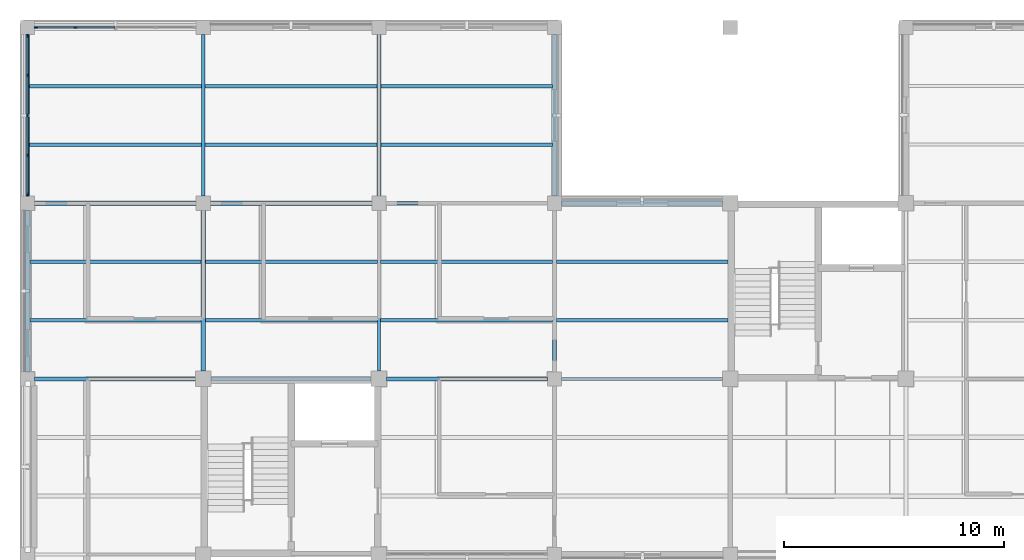
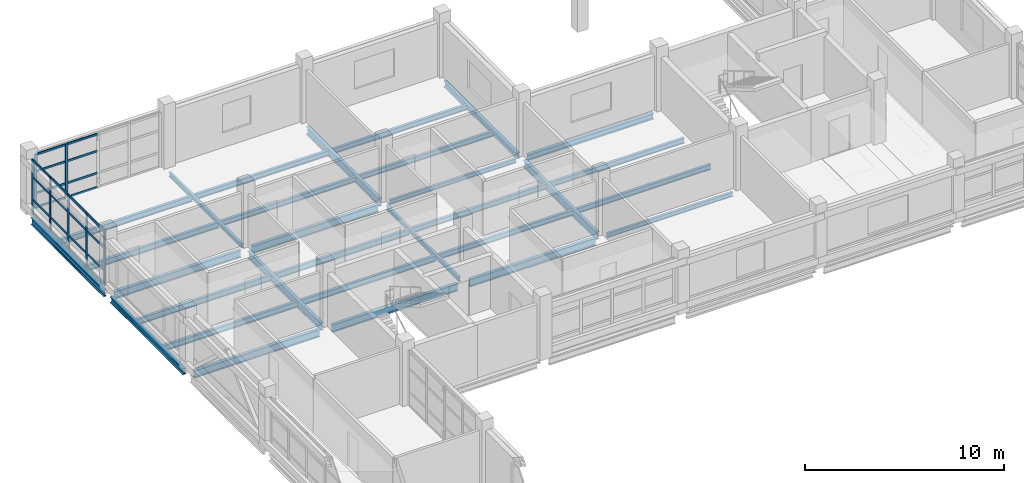
# One storey, part 27 of 92: 31 members, 30 beams, 2 elements without a shape of their own.
"""IFC4 building model written with IfcOpenShell, lengths in metres."""

from ifc_helpers import new_model, si_unit, derived_unit, direction, frame, origin, origin_2d, place, context, subcontext, project, spatial, rectangle, i_section, extrude, material, layer, layer_set, material_profile, profile_set, type_object, element, aggregate, save


model = new_model("IFC4")

# Units and contexts
model_context = context("Model", 3, precision=1e-05, world=origin(), true_north=direction((0.0, 1.0)))
body_context = subcontext(model_context, "Body", "Model", "MODEL_VIEW")
ifc_project = project(units=[si_unit("LENGTHUNIT", "METRE"), si_unit("AREAUNIT", "SQUARE_METRE"), si_unit("VOLUMEUNIT", "CUBIC_METRE"), si_unit("PLANEANGLEUNIT", "RADIAN"), si_unit("MASSUNIT", "GRAM", prefix="KILO"), derived_unit("THERMALTRANSMITTANCEUNIT", [(si_unit("MASSUNIT", "GRAM", prefix="KILO"), 1), (si_unit("TIMEUNIT", "SECOND"), -3), (si_unit("THERMODYNAMICTEMPERATUREUNIT", "KELVIN"), -1)])], contexts=[model_context])

# Site, building, storey
site_placement = place(None, origin())
site = spatial("IfcSite", under=ifc_project, at=site_placement, CompositionType="ELEMENT")
building_placement = place(site_placement, origin())
building = spatial("IfcBuilding", under=site, at=building_placement, Name="Veyamyaing Civic Hall", CompositionType="ELEMENT")
storey_placement = place(building_placement, frame((0.0, 0.0, 17.820068359375)))
storey = spatial("IfcBuildingStorey", under=building, at=storey_placement, Name="L04", CompositionType="ELEMENT", Elevation=17.820068359375)

# Beams
ifc_material_1 = material(Name="Steel ASTM A992", Category="steel")
ifc_material_profile_1 = material_profile(ifc_material_1, i_section(OverallWidth=0.19189453125, OverallDepth=0.462890625, WebThickness=0.010498046875, FlangeThickness=0.017578125, FilletRadius=0.010009765625, at=origin_2d()), Name="W460X89")
ifc_profile_set_1 = profile_set([ifc_material_profile_1], Name="Steel ASTM A992")
beam_type_1 = type_object("IfcBeamType", Name="B-08", PredefinedType="BEAM", material=ifc_profile_set_1)
beam_1_placement = place(storey_placement, frame((0.324951171875, 96.0, -0.466552734375), z_axis=(1.0, 0.0, 0.0), x_axis=(0.0, 1.0, 0.0)))
element("IfcBeam", 1, at=beam_1_placement, inside=storey, type_object=beam_type_1, Name="Girder B-08 L04 Grid N 1-2", PredefinedType="BEAM", context=body_context, shape_type="SweptSolid", body=[
    extrude(i_section(OverallWidth=0.19189453125, OverallDepth=0.462890625, WebThickness=0.010498046875, FlangeThickness=0.017578125, FilletRadius=0.010009765625, at=origin_2d()), origin(), (0.0, 0.0, 1.0), 7.324951171875),
])
for number, where, z_axis, x_axis, name in (
    (2, (16.0, 104.324951171875, -0.466552734375), (0.0, 1.0, 0.0), (-1.0, 0.0, 0.0), "Girder B-08 L04 Grid 3 P-Q"),
    (3, (24.0, 96.324951171875, -0.466552734375), (0.0, 1.0, 0.0), (-1.0, 0.0, 0.0), "Girder B-08 L04 Grid 4 N-P"),
):
    element("IfcBeam", number, at=place(storey_placement, frame(where, z_axis=z_axis, x_axis=x_axis)), inside=storey, type_object=beam_type_1, Name=name, PredefinedType="BEAM", context=body_context, shape_type="SweptSolid", body=[
        extrude(i_section(OverallWidth=0.19189453125, OverallDepth=0.462890625, WebThickness=0.010498046875, FlangeThickness=0.017578125, FilletRadius=0.010009765625, at=origin_2d()), origin(), (0.0, 0.0, 1.0), 7.35009765625),
    ])
ifc_material_profile_2 = material_profile(ifc_material_1, i_section(OverallWidth=0.18994140625, OverallDepth=0.45703125, WebThickness=0.009033203125, FlangeThickness=0.014404296875, FilletRadius=0.010009765625, at=origin_2d()), Name="W460X74")
ifc_profile_set_2 = profile_set([ifc_material_profile_2], Name="Steel ASTM A992")
beam_type_2 = type_object("IfcBeamType", Name="B-09", PredefinedType="BEAM", material=ifc_profile_set_2)
beam_2_placement = place(storey_placement, frame((8.35009765625, 96.0, -0.463623046875), z_axis=(1.0, 0.0, 0.0), x_axis=(0.0, 1.0, 0.0)))
element("IfcBeam", 4, at=beam_2_placement, inside=storey, type_object=beam_type_2, Name="Girder B-09 L04 Grid N 2-3", PredefinedType="BEAM", context=body_context, shape_type="SweptSolid", body=[
    extrude(i_section(OverallWidth=0.18994140625, OverallDepth=0.45703125, WebThickness=0.009033203125, FlangeThickness=0.014404296875, FilletRadius=0.010009765625, at=origin_2d()), origin(), (0.0, 0.0, 1.0), 7.2998046875),
])
beam_3_placement = place(storey_placement, frame((0.324951171875, 104.0, -0.463623046875), z_axis=(1.0, 0.0, 0.0), x_axis=(0.0, 1.0, 0.0)))
element("IfcBeam", 5, at=beam_3_placement, inside=storey, type_object=beam_type_2, Name="Girder B-09 L04 Grid P 1-2", PredefinedType="BEAM", context=body_context, shape_type="SweptSolid", body=[
    extrude(i_section(OverallWidth=0.18994140625, OverallDepth=0.45703125, WebThickness=0.009033203125, FlangeThickness=0.014404296875, FilletRadius=0.010009765625, at=origin_2d()), origin(), (0.0, 0.0, 1.0), 7.35009765625),
])
beam_4_placement = place(storey_placement, frame((8.0, 96.35009765625, -0.463623046875), z_axis=(0.0, 1.0, 0.0), x_axis=(-1.0, 0.0, 0.0)))
element("IfcBeam", 6, at=beam_4_placement, inside=storey, type_object=beam_type_2, Name="Girder B-09 L04 Grid 2 N-P", PredefinedType="BEAM", context=body_context, shape_type="SweptSolid", body=[
    extrude(i_section(OverallWidth=0.18994140625, OverallDepth=0.45703125, WebThickness=0.009033203125, FlangeThickness=0.014404296875, FilletRadius=0.010009765625, at=origin_2d()), origin(), (0.0, 0.0, 1.0), 7.324951171875),
])
ifc_material_profile_3 = material_profile(ifc_material_1, i_section(OverallWidth=0.2041015625, OverallDepth=0.35009765625, WebThickness=0.0078125, FlangeThickness=0.01513671875, FilletRadius=0.010009765625, at=origin_2d()), Name="W360X72")
ifc_profile_set_3 = profile_set([ifc_material_profile_3], Name="Steel ASTM A992")
beam_type_3 = type_object("IfcBeamType", Name="B-11", PredefinedType="SPANDREL", material=ifc_profile_set_3)
beam_5_placement = place(storey_placement, frame((24.324951171875, 104.0, -0.41015625), z_axis=(1.0, 0.0, 0.0), x_axis=(0.0, 1.0, 0.0)))
element("IfcBeam", 7, at=beam_5_placement, inside=storey, type_object=beam_type_3, Name="Girder B-11 L04 Grid P 4-5", PredefinedType="SPANDREL", context=body_context, shape_type="SweptSolid", body=[
    extrude(i_section(OverallWidth=0.2041015625, OverallDepth=0.35009765625, WebThickness=0.0078125, FlangeThickness=0.01513671875, FilletRadius=0.010009765625, at=origin_2d()), origin(), (0.0, 0.0, 1.0), 7.324951171875),
])
for number, where, z_axis, x_axis, name in (
    (8, (0.0, 96.324951171875, -0.41015625), (0.0, 1.0, 0.0), (-1.0, 0.0, 0.0), "Girder B-11 L04 Grid 1 N-P"),
    (9, (24.0, 104.324951171875, -0.41015625), (0.0, 1.0, 0.0), (-1.0, 0.0, 0.0), "Girder B-11 L04 Grid 4 P-Q"),
):
    element("IfcBeam", number, at=place(storey_placement, frame(where, z_axis=z_axis, x_axis=x_axis)), inside=storey, type_object=beam_type_3, Name=name, PredefinedType="SPANDREL", context=body_context, shape_type="SweptSolid", body=[
        extrude(i_section(OverallWidth=0.2041015625, OverallDepth=0.35009765625, WebThickness=0.0078125, FlangeThickness=0.01513671875, FilletRadius=0.010009765625, at=origin_2d()), origin(), (0.0, 0.0, 1.0), 7.35009765625),
    ])
ifc_material_profile_4 = material_profile(ifc_material_1, i_section(OverallWidth=0.14599609375, OverallDepth=0.258056640625, WebThickness=0.006103515625, FlangeThickness=0.009033203125, FilletRadius=0.010009765625, at=origin_2d()), Name="W250X33")
ifc_profile_set_4 = profile_set([ifc_material_profile_4], Name="Steel ASTM A992")
beam_type_4 = type_object("IfcBeamType", Name="B-12", PredefinedType="BEAM", material=ifc_profile_set_4)
beam_6_placement = place(storey_placement, frame((24.324951171875, 96.0, -0.364013671875), z_axis=(1.0, 0.0, 0.0), x_axis=(0.0, 1.0, 0.0)))
element("IfcBeam", 10, at=beam_6_placement, inside=storey, type_object=beam_type_4, Name="Girder B-12 L04 Grid N 4-5", PredefinedType="BEAM", context=body_context, shape_type="SweptSolid", body=[
    extrude(i_section(OverallWidth=0.14599609375, OverallDepth=0.258056640625, WebThickness=0.006103515625, FlangeThickness=0.009033203125, FilletRadius=0.010009765625, at=origin_2d()), origin(), (0.0, 0.0, 1.0), 7.324951171875),
])
for number, where, z_axis, x_axis, name in (
    (11, (16.324951171875, 104.0, -0.364013671875), (1.0, 0.0, 0.0), (0.0, 1.0, 0.0), "Girder B-12 L04 Grid P 3-4"),
    (12, (8.0, 104.324951171875, -0.364013671875), (0.0, 1.0, 0.0), (-1.0, 0.0, 0.0), "Girder B-12 L04 Grid 2 P-Q"),
):
    element("IfcBeam", number, at=place(storey_placement, frame(where, z_axis=z_axis, x_axis=x_axis)), inside=storey, type_object=beam_type_4, Name=name, PredefinedType="BEAM", context=body_context, shape_type="SweptSolid", body=[
        extrude(i_section(OverallWidth=0.14599609375, OverallDepth=0.258056640625, WebThickness=0.006103515625, FlangeThickness=0.009033203125, FilletRadius=0.010009765625, at=origin_2d()), origin(), (0.0, 0.0, 1.0), 7.35009765625),
    ])
beam_7_placement = place(storey_placement, frame((16.0, 96.35009765625, -0.364013671875), z_axis=(0.0, 1.0, 0.0), x_axis=(-1.0, 0.0, 0.0)))
element("IfcBeam", 13, at=beam_7_placement, inside=storey, type_object=beam_type_4, Name="Girder B-12 L04 Grid 3 N-P", PredefinedType="BEAM", context=body_context, shape_type="SweptSolid", body=[
    extrude(i_section(OverallWidth=0.14599609375, OverallDepth=0.258056640625, WebThickness=0.006103515625, FlangeThickness=0.009033203125, FilletRadius=0.010009765625, at=origin_2d()), origin(), (0.0, 0.0, 1.0), 7.324951171875),
])
ifc_material_profile_5 = material_profile(ifc_material_1, i_section(OverallWidth=0.194091796875, OverallDepth=0.468994140625, WebThickness=0.0126953125, FlangeThickness=0.0205078125, FilletRadius=0.010009765625, at=origin_2d()), Name="W460X106")
ifc_profile_set_5 = profile_set([ifc_material_profile_5], Name="Steel ASTM A992")
beam_type_5 = type_object("IfcBeamType", Name="B-18", PredefinedType="BEAM", material=ifc_profile_set_5)
beam_8_placement = place(storey_placement, frame((16.35009765625, 96.0, -0.469482421875), z_axis=(1.0, 0.0, 0.0), x_axis=(0.0, 1.0, 0.0)))
element("IfcBeam", 14, at=beam_8_placement, inside=storey, type_object=beam_type_5, Name="Girder B-18 L04 Grid N 3-4", PredefinedType="BEAM", context=body_context, shape_type="SweptSolid", body=[
    extrude(i_section(OverallWidth=0.194091796875, OverallDepth=0.468994140625, WebThickness=0.0126953125, FlangeThickness=0.0205078125, FilletRadius=0.010009765625, at=origin_2d()), origin(), (0.0, 0.0, 1.0), 7.324951171875),
])
beam_9_placement = place(storey_placement, frame((8.324951171875, 104.0, -0.469482421875), z_axis=(1.0, 0.0, 0.0), x_axis=(0.0, 1.0, 0.0)))
element("IfcBeam", 15, at=beam_9_placement, inside=storey, type_object=beam_type_5, Name="Girder B-18 L04 Grid P 2-3", PredefinedType="BEAM", context=body_context, shape_type="SweptSolid", body=[
    extrude(i_section(OverallWidth=0.194091796875, OverallDepth=0.468994140625, WebThickness=0.0126953125, FlangeThickness=0.0205078125, FilletRadius=0.010009765625, at=origin_2d()), origin(), (0.0, 0.0, 1.0), 7.35009765625),
])
ifc_material_profile_6 = material_profile(ifc_material_1, i_section(OverallWidth=0.180908203125, OverallDepth=0.4169921875, WebThickness=0.010986328125, FlangeThickness=0.018310546875, FilletRadius=0.010009765625, at=origin_2d()), Name="W410X85")
ifc_profile_set_6 = profile_set([ifc_material_profile_6], Name="Steel ASTM A992")
beam_type_6 = type_object("IfcBeamType", Name="B-19", PredefinedType="SPANDREL", material=ifc_profile_set_6)
beam_10_placement = place(storey_placement, frame((0.0, 104.324951171875, -0.443603515625), z_axis=(0.0, 1.0, 0.0), x_axis=(-1.0, 0.0, 0.0)))
element("IfcBeam", 16, at=beam_10_placement, inside=storey, type_object=beam_type_6, Name="Girder B-19 L04 Grid 1 P-Q", PredefinedType="SPANDREL", context=body_context, shape_type="SweptSolid", body=[
    extrude(i_section(OverallWidth=0.180908203125, OverallDepth=0.4169921875, WebThickness=0.010986328125, FlangeThickness=0.018310546875, FilletRadius=0.010009765625, at=origin_2d()), origin(), (0.0, 0.0, 1.0), 7.35009765625),
])

# Curtain wall, members
ifc_material_2 = material(Name="Anodised aluminium 6063-T6", Category="aluminium")
ifc_layer = layer(ifc_material_2, 0.159912109375, Name="Anodised aluminium 6063-T6")
ifc_layer_set = layer_set([ifc_layer], Name="Anodised aluminium 6063-T6")
curtain_wall_type = type_object("IfcCurtainWallType", Name="CW-08", PredefinedType="NOTDEFINED", material=ifc_layer_set)
curtain_wall_1_placement = place(storey_placement, origin())
curtain_wall_1 = element("IfcCurtainWall", 17, at=curtain_wall_1_placement, inside=storey, type_object=curtain_wall_type, Name="Unitized curtain wall CW-08 L04 N 1.14", PredefinedType="NOTDEFINED")
ifc_material_profile_7 = material_profile(ifc_material_2, rectangle(XDim=0.06494140625, YDim=0.159912109375, at=origin_2d()), Name="ALU-MUL-65X160")
ifc_profile_set_7 = profile_set([ifc_material_profile_7], Name="Anodised aluminium 6063-T6")
member_type_1 = type_object("IfcMemberType", Name="CWM-01", PredefinedType="MULLION", material=ifc_profile_set_7)
member_1_placement = place(storey_placement, frame((0.387451171875, 112.0, 0.0), z_axis=(0.0, 0.0, 1.0), x_axis=(0.0, 1.0, 0.0)))
member_1 = element("IfcMember", 18, at=member_1_placement, type_object=member_type_1, Name="CW-08 mullion 1", PredefinedType="MULLION", context=body_context, shape_type="SweptSolid", body=[
    extrude(rectangle(XDim=0.06494140625, YDim=0.159912109375, at=origin_2d()), origin(), (0.0, 0.0, 1.0), 3.31396484375),
])
member_2_placement = place(storey_placement, frame((2.177490234375, 112.0, 0.0), z_axis=(0.0, 0.0, 1.0), x_axis=(0.0, 1.0, 0.0)))
member_2 = element("IfcMember", 19, at=member_2_placement, type_object=member_type_1, Name="CW-08 mullion 2", PredefinedType="MULLION", context=body_context, shape_type="SweptSolid", body=[
    extrude(rectangle(XDim=0.06494140625, YDim=0.159912109375, at=origin_2d()), origin(), (0.0, 0.0, 1.0), 3.31396484375),
])

curtain_wall_2_placement = place(storey_placement, origin())
curtain_wall_2 = element("IfcCurtainWall", 20, at=curtain_wall_2_placement, inside=storey, type_object=curtain_wall_type, Name="Unitized curtain wall CW-08 L04 W 1.14", PredefinedType="NOTDEFINED")
member_3_placement = place(storey_placement, frame((0.0, 104.387451171875, 0.0), z_axis=(0.0, 0.0, 1.0), x_axis=(-1.0, 0.0, 0.0)))
member_3 = element("IfcMember", 21, at=member_3_placement, type_object=member_type_1, Name="CW-08 mullion 1", PredefinedType="MULLION", context=body_context, shape_type="SweptSolid", body=[
    extrude(rectangle(XDim=0.06494140625, YDim=0.159912109375, at=origin_2d()), origin(), (0.0, 0.0, 1.0), 3.3740234375),
])
member_4_placement = place(storey_placement, frame((0.0, 106.177490234375, 0.0), z_axis=(0.0, 0.0, 1.0), x_axis=(-1.0, 0.0, 0.0)))
member_4 = element("IfcMember", 22, at=member_4_placement, type_object=member_type_1, Name="CW-08 mullion 2", PredefinedType="MULLION", context=body_context, shape_type="SweptSolid", body=[
    extrude(rectangle(XDim=0.06494140625, YDim=0.159912109375, at=origin_2d()), origin(), (0.0, 0.0, 1.0), 3.3740234375),
])
member_5_placement = place(storey_placement, frame((0.0, 108.0, 0.0), z_axis=(0.0, 0.0, 1.0), x_axis=(-1.0, 0.0, 0.0)))
member_5 = element("IfcMember", 23, at=member_5_placement, type_object=member_type_1, Name="CW-08 mullion 3", PredefinedType="MULLION", context=body_context, shape_type="SweptSolid", body=[
    extrude(rectangle(XDim=0.06494140625, YDim=0.159912109375, at=origin_2d()), origin(), (0.0, 0.0, 1.0), 3.3740234375),
])
member_6_placement = place(storey_placement, frame((0.0, 109.822509765625, 0.0), z_axis=(0.0, 0.0, 1.0), x_axis=(-1.0, 0.0, 0.0)))
member_6 = element("IfcMember", 24, at=member_6_placement, type_object=member_type_1, Name="CW-08 mullion 4", PredefinedType="MULLION", context=body_context, shape_type="SweptSolid", body=[
    extrude(rectangle(XDim=0.06494140625, YDim=0.159912109375, at=origin_2d()), origin(), (0.0, 0.0, 1.0), 3.3740234375),
])
member_7_placement = place(storey_placement, frame((0.0, 111.612548828125, 0.0), z_axis=(0.0, 0.0, 1.0), x_axis=(-1.0, 0.0, 0.0)))
member_7 = element("IfcMember", 25, at=member_7_placement, type_object=member_type_1, Name="CW-08 mullion 5", PredefinedType="MULLION", context=body_context, shape_type="SweptSolid", body=[
    extrude(rectangle(XDim=0.06494140625, YDim=0.159912109375, at=origin_2d()), origin(), (0.0, 0.0, 1.0), 3.3740234375),
])

# Member
ifc_material_profile_8 = material_profile(ifc_material_2, rectangle(XDim=0.06494140625, YDim=0.1201171875, at=origin_2d()), Name="ALU-TRN-65X120")
ifc_profile_set_8 = profile_set([ifc_material_profile_8], Name="Anodised aluminium 6063-T6")
member_type_2 = type_object("IfcMemberType", Name="CWT-01", PredefinedType="USERDEFINED", material=ifc_profile_set_8)
member_8_placement = place(storey_placement, frame((0.419921875, 112.0, 0.032470703125), z_axis=(1.0, 0.0, 0.0), x_axis=(0.0, 1.0, 0.0)))
member_8 = element("IfcMember", 26, at=member_8_placement, type_object=member_type_2, Name="CW-08 transom 1.1", ObjectType="TRANSOM", PredefinedType="USERDEFINED", context=body_context, shape_type="SweptSolid", body=[
    extrude(rectangle(XDim=0.06494140625, YDim=0.1201171875, at=origin_2d()), origin(), (0.0, 0.0, 1.0), 1.72509765625),
])

member_9_placement = place(storey_placement, frame((0.419921875, 112.0, 0.89990234375), z_axis=(1.0, 0.0, 0.0), x_axis=(0.0, 1.0, 0.0)))
member_9 = element("IfcMember", 27, at=member_9_placement, type_object=member_type_2, Name="CW-08 transom 1.2", ObjectType="TRANSOM", PredefinedType="USERDEFINED", context=body_context, shape_type="SweptSolid", body=[
    extrude(rectangle(XDim=0.06494140625, YDim=0.1201171875, at=origin_2d()), origin(), (0.0, 0.0, 1.0), 1.72509765625),
])

member_10_placement = place(storey_placement, frame((0.419921875, 112.0, 2.25341796875), z_axis=(1.0, 0.0, 0.0), x_axis=(0.0, 1.0, 0.0)))
member_10 = element("IfcMember", 28, at=member_10_placement, type_object=member_type_2, Name="CW-08 transom 1.3", ObjectType="TRANSOM", PredefinedType="USERDEFINED", context=body_context, shape_type="SweptSolid", body=[
    extrude(rectangle(XDim=0.06494140625, YDim=0.1201171875, at=origin_2d()), origin(), (0.0, 0.0, 1.0), 1.72509765625),
])

member_11_placement = place(storey_placement, frame((0.419921875, 112.0, 3.281494140625), z_axis=(1.0, 0.0, 0.0), x_axis=(0.0, 1.0, 0.0)))
member_11 = element("IfcMember", 29, at=member_11_placement, type_object=member_type_2, Name="CW-08 transom 1.4", ObjectType="TRANSOM", PredefinedType="USERDEFINED", context=body_context, shape_type="SweptSolid", body=[
    extrude(rectangle(XDim=0.06494140625, YDim=0.1201171875, at=origin_2d()), origin(), (0.0, 0.0, 1.0), 1.72509765625),
])

member_12_placement = place(storey_placement, frame((2.2099609375, 112.0, 0.032470703125), z_axis=(1.0, 0.0, 0.0), x_axis=(0.0, 1.0, 0.0)))
member_12 = element("IfcMember", 30, at=member_12_placement, type_object=member_type_2, Name="CW-08 transom 2.1", ObjectType="TRANSOM", PredefinedType="USERDEFINED", context=body_context, shape_type="SweptSolid", body=[
    extrude(rectangle(XDim=0.06494140625, YDim=0.1201171875, at=origin_2d()), origin(), (0.0, 0.0, 1.0), 1.757568359375),
])

member_13_placement = place(storey_placement, frame((2.2099609375, 112.0, 0.89990234375), z_axis=(1.0, 0.0, 0.0), x_axis=(0.0, 1.0, 0.0)))
member_13 = element("IfcMember", 31, at=member_13_placement, type_object=member_type_2, Name="CW-08 transom 2.2", ObjectType="TRANSOM", PredefinedType="USERDEFINED", context=body_context, shape_type="SweptSolid", body=[
    extrude(rectangle(XDim=0.06494140625, YDim=0.1201171875, at=origin_2d()), origin(), (0.0, 0.0, 1.0), 1.757568359375),
])

member_14_placement = place(storey_placement, frame((2.2099609375, 112.0, 2.25341796875), z_axis=(1.0, 0.0, 0.0), x_axis=(0.0, 1.0, 0.0)))
member_14 = element("IfcMember", 32, at=member_14_placement, type_object=member_type_2, Name="CW-08 transom 2.3", ObjectType="TRANSOM", PredefinedType="USERDEFINED", context=body_context, shape_type="SweptSolid", body=[
    extrude(rectangle(XDim=0.06494140625, YDim=0.1201171875, at=origin_2d()), origin(), (0.0, 0.0, 1.0), 1.757568359375),
])

member_15_placement = place(storey_placement, frame((2.2099609375, 112.0, 3.281494140625), z_axis=(1.0, 0.0, 0.0), x_axis=(0.0, 1.0, 0.0)))
member_15 = element("IfcMember", 33, at=member_15_placement, type_object=member_type_2, Name="CW-08 transom 2.4", ObjectType="TRANSOM", PredefinedType="USERDEFINED", context=body_context, shape_type="SweptSolid", body=[
    extrude(rectangle(XDim=0.06494140625, YDim=0.1201171875, at=origin_2d()), origin(), (0.0, 0.0, 1.0), 1.757568359375),
])

aggregate(curtain_wall_1, [member_1, member_2, member_8, member_9, member_10, member_11, member_12, member_13, member_14, member_15])

member_16_placement = place(storey_placement, frame((0.0, 104.419921875, 0.032470703125), z_axis=(0.0, 1.0, 0.0), x_axis=(-1.0, 0.0, 0.0)))
member_16 = element("IfcMember", 34, at=member_16_placement, type_object=member_type_2, Name="CW-08 transom 1.1", ObjectType="TRANSOM", PredefinedType="USERDEFINED", context=body_context, shape_type="SweptSolid", body=[
    extrude(rectangle(XDim=0.06494140625, YDim=0.1201171875, at=origin_2d()), origin(), (0.0, 0.0, 1.0), 1.72509765625),
])

member_17_placement = place(storey_placement, frame((0.0, 104.419921875, 0.89990234375), z_axis=(0.0, 1.0, 0.0), x_axis=(-1.0, 0.0, 0.0)))
member_17 = element("IfcMember", 35, at=member_17_placement, type_object=member_type_2, Name="CW-08 transom 1.2", ObjectType="TRANSOM", PredefinedType="USERDEFINED", context=body_context, shape_type="SweptSolid", body=[
    extrude(rectangle(XDim=0.06494140625, YDim=0.1201171875, at=origin_2d()), origin(), (0.0, 0.0, 1.0), 1.72509765625),
])

member_18_placement = place(storey_placement, frame((0.0, 104.419921875, 2.294189453125), z_axis=(0.0, 1.0, 0.0), x_axis=(-1.0, 0.0, 0.0)))
member_18 = element("IfcMember", 36, at=member_18_placement, type_object=member_type_2, Name="CW-08 transom 1.3", ObjectType="TRANSOM", PredefinedType="USERDEFINED", context=body_context, shape_type="SweptSolid", body=[
    extrude(rectangle(XDim=0.06494140625, YDim=0.1201171875, at=origin_2d()), origin(), (0.0, 0.0, 1.0), 1.72509765625),
])

member_19_placement = place(storey_placement, frame((0.0, 104.419921875, 3.341552734375), z_axis=(0.0, 1.0, 0.0), x_axis=(-1.0, 0.0, 0.0)))
member_19 = element("IfcMember", 37, at=member_19_placement, type_object=member_type_2, Name="CW-08 transom 1.4", ObjectType="TRANSOM", PredefinedType="USERDEFINED", context=body_context, shape_type="SweptSolid", body=[
    extrude(rectangle(XDim=0.06494140625, YDim=0.1201171875, at=origin_2d()), origin(), (0.0, 0.0, 1.0), 1.72509765625),
])

member_20_placement = place(storey_placement, frame((0.0, 106.2099609375, 0.032470703125), z_axis=(0.0, 1.0, 0.0), x_axis=(-1.0, 0.0, 0.0)))
member_20 = element("IfcMember", 38, at=member_20_placement, type_object=member_type_2, Name="CW-08 transom 2.1", ObjectType="TRANSOM", PredefinedType="USERDEFINED", context=body_context, shape_type="SweptSolid", body=[
    extrude(rectangle(XDim=0.06494140625, YDim=0.1201171875, at=origin_2d()), origin(), (0.0, 0.0, 1.0), 1.757568359375),
])

member_21_placement = place(storey_placement, frame((0.0, 106.2099609375, 0.89990234375), z_axis=(0.0, 1.0, 0.0), x_axis=(-1.0, 0.0, 0.0)))
member_21 = element("IfcMember", 39, at=member_21_placement, type_object=member_type_2, Name="CW-08 transom 2.2", ObjectType="TRANSOM", PredefinedType="USERDEFINED", context=body_context, shape_type="SweptSolid", body=[
    extrude(rectangle(XDim=0.06494140625, YDim=0.1201171875, at=origin_2d()), origin(), (0.0, 0.0, 1.0), 1.757568359375),
])

member_22_placement = place(storey_placement, frame((0.0, 106.2099609375, 2.294189453125), z_axis=(0.0, 1.0, 0.0), x_axis=(-1.0, 0.0, 0.0)))
member_22 = element("IfcMember", 40, at=member_22_placement, type_object=member_type_2, Name="CW-08 transom 2.3", ObjectType="TRANSOM", PredefinedType="USERDEFINED", context=body_context, shape_type="SweptSolid", body=[
    extrude(rectangle(XDim=0.06494140625, YDim=0.1201171875, at=origin_2d()), origin(), (0.0, 0.0, 1.0), 1.757568359375),
])

member_23_placement = place(storey_placement, frame((0.0, 106.2099609375, 3.341552734375), z_axis=(0.0, 1.0, 0.0), x_axis=(-1.0, 0.0, 0.0)))
member_23 = element("IfcMember", 41, at=member_23_placement, type_object=member_type_2, Name="CW-08 transom 2.4", ObjectType="TRANSOM", PredefinedType="USERDEFINED", context=body_context, shape_type="SweptSolid", body=[
    extrude(rectangle(XDim=0.06494140625, YDim=0.1201171875, at=origin_2d()), origin(), (0.0, 0.0, 1.0), 1.757568359375),
])

member_24_placement = place(storey_placement, frame((0.0, 108.032470703125, 0.032470703125), z_axis=(0.0, 1.0, 0.0), x_axis=(-1.0, 0.0, 0.0)))
member_24 = element("IfcMember", 42, at=member_24_placement, type_object=member_type_2, Name="CW-08 transom 3.1", ObjectType="TRANSOM", PredefinedType="USERDEFINED", context=body_context, shape_type="SweptSolid", body=[
    extrude(rectangle(XDim=0.06494140625, YDim=0.1201171875, at=origin_2d()), origin(), (0.0, 0.0, 1.0), 1.757568359375),
])

member_25_placement = place(storey_placement, frame((0.0, 108.032470703125, 0.89990234375), z_axis=(0.0, 1.0, 0.0), x_axis=(-1.0, 0.0, 0.0)))
member_25 = element("IfcMember", 43, at=member_25_placement, type_object=member_type_2, Name="CW-08 transom 3.2", ObjectType="TRANSOM", PredefinedType="USERDEFINED", context=body_context, shape_type="SweptSolid", body=[
    extrude(rectangle(XDim=0.06494140625, YDim=0.1201171875, at=origin_2d()), origin(), (0.0, 0.0, 1.0), 1.757568359375),
])

member_26_placement = place(storey_placement, frame((0.0, 108.032470703125, 2.294189453125), z_axis=(0.0, 1.0, 0.0), x_axis=(-1.0, 0.0, 0.0)))
member_26 = element("IfcMember", 44, at=member_26_placement, type_object=member_type_2, Name="CW-08 transom 3.3", ObjectType="TRANSOM", PredefinedType="USERDEFINED", context=body_context, shape_type="SweptSolid", body=[
    extrude(rectangle(XDim=0.06494140625, YDim=0.1201171875, at=origin_2d()), origin(), (0.0, 0.0, 1.0), 1.757568359375),
])

member_27_placement = place(storey_placement, frame((0.0, 108.032470703125, 3.341552734375), z_axis=(0.0, 1.0, 0.0), x_axis=(-1.0, 0.0, 0.0)))
member_27 = element("IfcMember", 45, at=member_27_placement, type_object=member_type_2, Name="CW-08 transom 3.4", ObjectType="TRANSOM", PredefinedType="USERDEFINED", context=body_context, shape_type="SweptSolid", body=[
    extrude(rectangle(XDim=0.06494140625, YDim=0.1201171875, at=origin_2d()), origin(), (0.0, 0.0, 1.0), 1.757568359375),
])

member_28_placement = place(storey_placement, frame((0.0, 109.85498046875, 0.032470703125), z_axis=(0.0, 1.0, 0.0), x_axis=(-1.0, 0.0, 0.0)))
member_28 = element("IfcMember", 46, at=member_28_placement, type_object=member_type_2, Name="CW-08 transom 4.1", ObjectType="TRANSOM", PredefinedType="USERDEFINED", context=body_context, shape_type="SweptSolid", body=[
    extrude(rectangle(XDim=0.06494140625, YDim=0.1201171875, at=origin_2d()), origin(), (0.0, 0.0, 1.0), 1.72509765625),
])

member_29_placement = place(storey_placement, frame((0.0, 109.85498046875, 0.89990234375), z_axis=(0.0, 1.0, 0.0), x_axis=(-1.0, 0.0, 0.0)))
member_29 = element("IfcMember", 47, at=member_29_placement, type_object=member_type_2, Name="CW-08 transom 4.2", ObjectType="TRANSOM", PredefinedType="USERDEFINED", context=body_context, shape_type="SweptSolid", body=[
    extrude(rectangle(XDim=0.06494140625, YDim=0.1201171875, at=origin_2d()), origin(), (0.0, 0.0, 1.0), 1.72509765625),
])

member_30_placement = place(storey_placement, frame((0.0, 109.85498046875, 2.294189453125), z_axis=(0.0, 1.0, 0.0), x_axis=(-1.0, 0.0, 0.0)))
member_30 = element("IfcMember", 48, at=member_30_placement, type_object=member_type_2, Name="CW-08 transom 4.3", ObjectType="TRANSOM", PredefinedType="USERDEFINED", context=body_context, shape_type="SweptSolid", body=[
    extrude(rectangle(XDim=0.06494140625, YDim=0.1201171875, at=origin_2d()), origin(), (0.0, 0.0, 1.0), 1.72509765625),
])

member_31_placement = place(storey_placement, frame((0.0, 109.85498046875, 3.341552734375), z_axis=(0.0, 1.0, 0.0), x_axis=(-1.0, 0.0, 0.0)))
member_31 = element("IfcMember", 49, at=member_31_placement, type_object=member_type_2, Name="CW-08 transom 4.4", ObjectType="TRANSOM", PredefinedType="USERDEFINED", context=body_context, shape_type="SweptSolid", body=[
    extrude(rectangle(XDim=0.06494140625, YDim=0.1201171875, at=origin_2d()), origin(), (0.0, 0.0, 1.0), 1.72509765625),
])

aggregate(curtain_wall_2, [member_3, member_4, member_5, member_6, member_7, member_16, member_17, member_18, member_19, member_20, member_21, member_22, member_23, member_24, member_25, member_26, member_27, member_28, member_29, member_30, member_31])

# Beams
ifc_material_profile_9 = material_profile(ifc_material_1, i_section(OverallWidth=0.172119140625, OverallDepth=0.35791015625, WebThickness=0.0078125, FlangeThickness=0.01318359375, FilletRadius=0.010009765625, at=origin_2d()), Name="W360X57")
ifc_profile_set_9 = profile_set([ifc_material_profile_9], Name="Steel ASTM A992")
beam_type_7 = type_object("IfcBeamType", Name="J-02", PredefinedType="JOIST", material=ifc_profile_set_9)
for number, where, z_axis, x_axis, name in (
    (50, (0.10009765625, 98.666748046875, -0.4140625), (1.0, 0.0, 0.0), (0.0, 1.0, 0.0), "Composite floor joist J-02 L04 1.13.1"),
    (51, (0.10009765625, 101.333251953125, -0.4140625), (1.0, 0.0, 0.0), (0.0, 1.0, 0.0), "Composite floor joist J-02 L04 1.13.2"),
):
    element("IfcBeam", number, at=place(storey_placement, frame(where, z_axis=z_axis, x_axis=x_axis)), inside=storey, type_object=beam_type_7, Name=name, PredefinedType="JOIST", context=body_context, shape_type="SweptSolid", body=[
        extrude(i_section(OverallWidth=0.172119140625, OverallDepth=0.35791015625, WebThickness=0.0078125, FlangeThickness=0.01318359375, FilletRadius=0.010009765625, at=origin_2d()), origin(), (0.0, 0.0, 1.0), 7.806884765625),
    ])
ifc_material_profile_10 = material_profile(ifc_material_1, i_section(OverallWidth=0.1708984375, OverallDepth=0.35205078125, WebThickness=0.0068359375, FlangeThickness=0.009765625, FilletRadius=0.010009765625, at=origin_2d()), Name="W360X44")
ifc_profile_set_10 = profile_set([ifc_material_profile_10], Name="Steel ASTM A992")
beam_type_8 = type_object("IfcBeamType", Name="J-03", PredefinedType="JOIST", material=ifc_profile_set_10)
for number, where, z_axis, x_axis, name in (
    (52, (0.08837890625, 106.666748046875, -0.4111328125), (1.0, 0.0, 0.0), (0.0, 1.0, 0.0), "Composite floor joist J-03 L04 1.14.1"),
    (53, (0.08837890625, 109.333251953125, -0.4111328125), (1.0, 0.0, 0.0), (0.0, 1.0, 0.0), "Composite floor joist J-03 L04 1.14.2"),
):
    element("IfcBeam", number, at=place(storey_placement, frame(where, z_axis=z_axis, x_axis=x_axis)), inside=storey, type_object=beam_type_8, Name=name, PredefinedType="JOIST", context=body_context, shape_type="SweptSolid", body=[
        extrude(i_section(OverallWidth=0.1708984375, OverallDepth=0.35205078125, WebThickness=0.0068359375, FlangeThickness=0.009765625, FilletRadius=0.010009765625, at=origin_2d()), origin(), (0.0, 0.0, 1.0), 7.840576171875),
    ])
for number, where, z_axis, x_axis, name in (
    (54, (8.093017578125, 98.666748046875, -0.4111328125), (1.0, 0.0, 0.0), (0.0, 1.0, 0.0), "Composite floor joist J-03 L04 2.13.1"),
    (55, (8.093017578125, 101.333251953125, -0.4111328125), (1.0, 0.0, 0.0), (0.0, 1.0, 0.0), "Composite floor joist J-03 L04 2.13.2"),
):
    element("IfcBeam", number, at=place(storey_placement, frame(where, z_axis=z_axis, x_axis=x_axis)), inside=storey, type_object=beam_type_8, Name=name, PredefinedType="JOIST", context=body_context, shape_type="SweptSolid", body=[
        extrude(i_section(OverallWidth=0.1708984375, OverallDepth=0.35205078125, WebThickness=0.0068359375, FlangeThickness=0.009765625, FilletRadius=0.010009765625, at=origin_2d()), origin(), (0.0, 0.0, 1.0), 7.8359375),
    ])
ifc_material_profile_11 = material_profile(ifc_material_1, i_section(OverallWidth=0.1669921875, OverallDepth=0.318115234375, WebThickness=0.007568359375, FlangeThickness=0.01318359375, FilletRadius=0.010009765625, at=origin_2d()), Name="W310X52")
ifc_profile_set_11 = profile_set([ifc_material_profile_11], Name="Steel ASTM A992")
beam_type_9 = type_object("IfcBeamType", Name="J-04", PredefinedType="JOIST", material=ifc_profile_set_11)
for number, where, z_axis, x_axis, name in (
    (56, (8.071044921875, 106.666748046875, -0.39404296875), (1.0, 0.0, 0.0), (0.0, 1.0, 0.0), "Composite floor joist J-04 L04 2.14.1"),
    (57, (8.071044921875, 109.333251953125, -0.39404296875), (1.0, 0.0, 0.0), (0.0, 1.0, 0.0), "Composite floor joist J-04 L04 2.14.2"),
    (58, (16.071044921875, 98.666748046875, -0.39404296875), (1.0, 0.0, 0.0), (0.0, 1.0, 0.0), "Composite floor joist J-04 L04 3.13.1"),
    (59, (16.071044921875, 101.333251953125, -0.39404296875), (1.0, 0.0, 0.0), (0.0, 1.0, 0.0), "Composite floor joist J-04 L04 3.13.2"),
):
    element("IfcBeam", number, at=place(storey_placement, frame(where, z_axis=z_axis, x_axis=x_axis)), inside=storey, type_object=beam_type_9, Name=name, PredefinedType="JOIST", context=body_context, shape_type="SweptSolid", body=[
        extrude(i_section(OverallWidth=0.1669921875, OverallDepth=0.318115234375, WebThickness=0.007568359375, FlangeThickness=0.01318359375, FilletRadius=0.010009765625, at=origin_2d()), origin(), (0.0, 0.0, 1.0), 7.8349609375),
    ])
ifc_material_profile_12 = material_profile(ifc_material_1, i_section(OverallWidth=0.1650390625, OverallDepth=0.31005859375, WebThickness=0.005859375, FlangeThickness=0.009765625, FilletRadius=0.010009765625, at=origin_2d()), Name="W310X39")
ifc_profile_set_12 = profile_set([ifc_material_profile_12], Name="Steel ASTM A992")
beam_type_10 = type_object("IfcBeamType", Name="J-05", PredefinedType="JOIST", material=ifc_profile_set_12)
for number, where, z_axis, x_axis, name in (
    (60, (16.093994140625, 106.666748046875, -0.39013671875), (1.0, 0.0, 0.0), (0.0, 1.0, 0.0), "Composite floor joist J-05 L04 3.14.1"),
    (61, (16.093994140625, 109.333251953125, -0.39013671875), (1.0, 0.0, 0.0), (0.0, 1.0, 0.0), "Composite floor joist J-05 L04 3.14.2"),
):
    element("IfcBeam", number, at=place(storey_placement, frame(where, z_axis=z_axis, x_axis=x_axis)), inside=storey, type_object=beam_type_10, Name=name, PredefinedType="JOIST", context=body_context, shape_type="SweptSolid", body=[
        extrude(i_section(OverallWidth=0.1650390625, OverallDepth=0.31005859375, WebThickness=0.005859375, FlangeThickness=0.009765625, FilletRadius=0.010009765625, at=origin_2d()), origin(), (0.0, 0.0, 1.0), 7.805908203125),
    ])
for number, where, z_axis, x_axis, name in (
    (62, (24.093994140625, 98.666748046875, -0.39013671875), (1.0, 0.0, 0.0), (0.0, 1.0, 0.0), "Composite floor joist J-05 L04 4.13.1"),
    (63, (24.093994140625, 101.333251953125, -0.39013671875), (1.0, 0.0, 0.0), (0.0, 1.0, 0.0), "Composite floor joist J-05 L04 4.13.2"),
):
    element("IfcBeam", number, at=place(storey_placement, frame(where, z_axis=z_axis, x_axis=x_axis)), inside=storey, type_object=beam_type_10, Name=name, PredefinedType="JOIST", context=body_context, shape_type="SweptSolid", body=[
        extrude(i_section(OverallWidth=0.1650390625, OverallDepth=0.31005859375, WebThickness=0.005859375, FlangeThickness=0.009765625, FilletRadius=0.010009765625, at=origin_2d()), origin(), (0.0, 0.0, 1.0), 7.81298828125),
    ])

save(model, "model.ifc")
